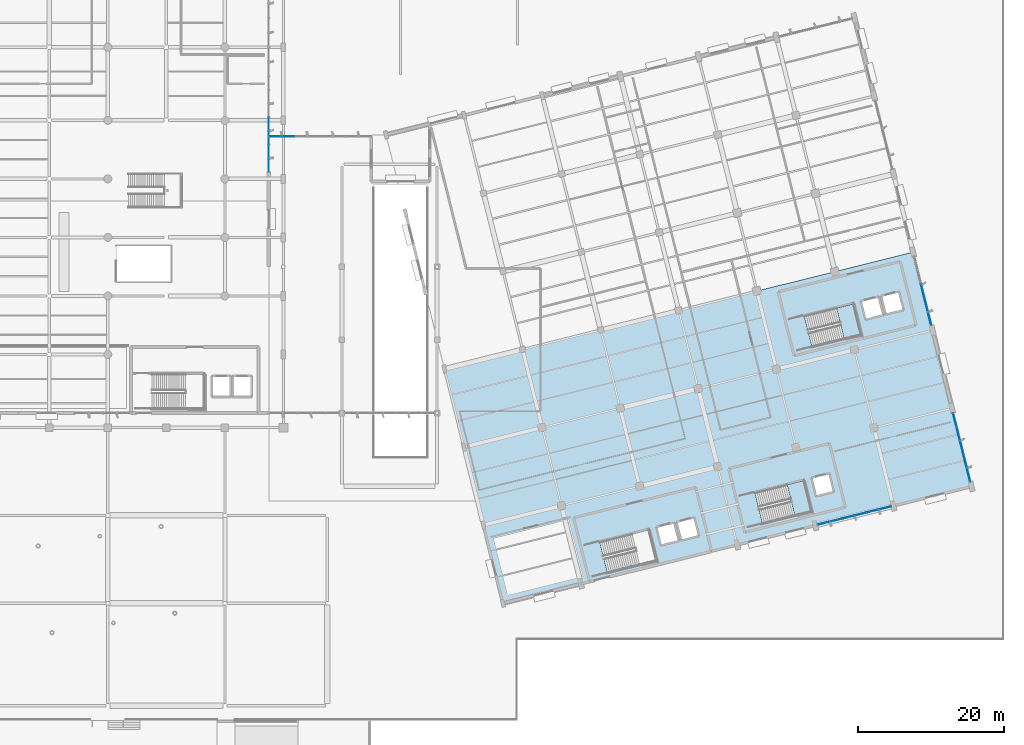
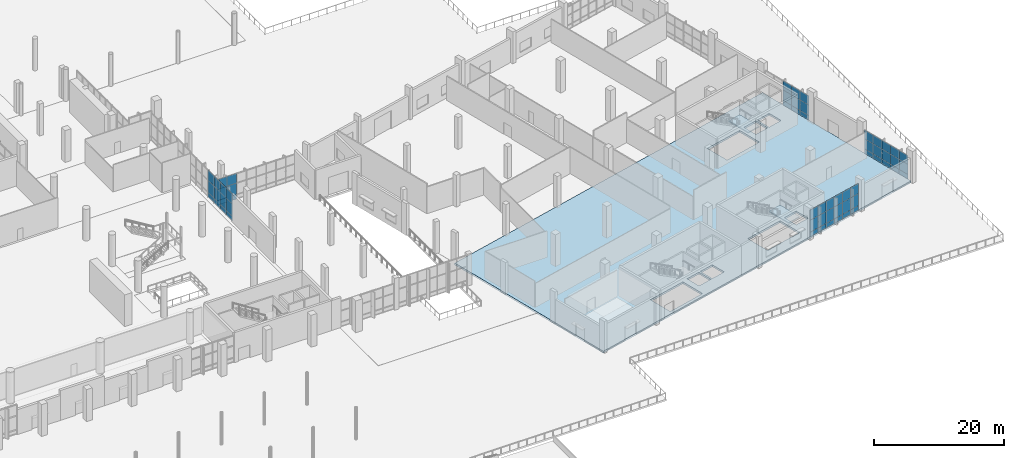
# One storey, part 118 of 163: 60 plates, 3 slabs, 7 elements without a shape of their own.
"""IFC4 building model written with IfcOpenShell, lengths in metres."""

from ifc_helpers import new_model, si_unit, direction, frame, origin, origin_2d, place, context, subcontext, project, spatial, polyline, rectangle, outline, extrude, material, layer, layer_set, type_object, element, aggregate, save


model = new_model("IFC4")

# Units and contexts
model_context = context("Model", 3, precision=1e-05, world=origin(), true_north=direction((0.0, 1.0)))
body_context = subcontext(model_context, "Body", "Model", "MODEL_VIEW")
ifc_project = project(units=[si_unit("LENGTHUNIT", "METRE"), si_unit("AREAUNIT", "SQUARE_METRE"), si_unit("VOLUMEUNIT", "CUBIC_METRE"), si_unit("PLANEANGLEUNIT", "RADIAN"), si_unit("MASSUNIT", "GRAM", prefix="KILO")], contexts=[model_context])

# Site, building, storey
site_placement = place(None, origin())
site = spatial("IfcSite", under=ifc_project, at=site_placement, CompositionType="ELEMENT")
building_placement = place(site_placement, origin())
building = spatial("IfcBuilding", under=site, at=building_placement, Name="Khorjan Park Terminus", CompositionType="ELEMENT")
storey_placement = place(building_placement, origin())
storey = spatial("IfcBuildingStorey", under=building, at=storey_placement, Name="L00", CompositionType="ELEMENT", Elevation=0.0)

# Curtain wall, plates
ifc_material_1 = material(Name="Anodized Bronze Aluminium", Category="aluminium")
ifc_layer_1 = layer(ifc_material_1, 0.22)
ifc_layer_set_1 = layer_set([ifc_layer_1], Name="Anodized Bronze Aluminium")
curtain_wall_type_1 = type_object("IfcCurtainWallType", Name="CW-OPS-B", PredefinedType="NOTDEFINED", material=ifc_layer_set_1)
curtain_wall_1_placement = place(storey_placement, origin())
curtain_wall_1 = element("IfcCurtainWall", 1, at=curtain_wall_1_placement, inside=storey, type_object=curtain_wall_type_1, Name="Unitized curtain wall CW-B (CW-V5-E-L00-B03)", PredefinedType="NOTDEFINED")
ifc_material_2 = material(Name="Low-E Solar Control Double Glazing", Category="glass")
ifc_layer_2 = layer(ifc_material_2, 0.032)
ifc_layer_set_2 = layer_set([ifc_layer_2], Name="Low-E Solar Control Double Glazing")
plate_type_1 = type_object("IfcPlateType", Name="GL-VIS-32", PredefinedType="CURTAIN_PANEL", material=ifc_layer_set_2)
plate_1_placement = place(storey_placement, frame((224.3195, 40.9083, 0.85), z_axis=(0.0, 0.0, 1.0), x_axis=(-0.241922975976, 0.970295456907, 0.0)))
plate_1 = element("IfcPlate", 2, at=plate_1_placement, type_object=plate_type_1, Name="Curtain-wall panel VP-32 (CW-V5-E-L00-B03-0-2)", PredefinedType="CURTAIN_PANEL", context=body_context, shape_type="SweptSolid", body=[
    extrude(rectangle(XDim=1.9281, YDim=0.032, at=origin_2d()), origin(), (0.0, 0.0, 1.0), 1.9803),
])
plate_2_placement = place(storey_placement, frame((224.3195, 40.9083, 2.8304), z_axis=(0.0, 0.0, 1.0), x_axis=(-0.241922975976, 0.970295456907, 0.0)))
plate_2 = element("IfcPlate", 3, at=plate_2_placement, type_object=plate_type_1, Name="Curtain-wall panel VP-32 (CW-V5-E-L00-B03-0-3)", PredefinedType="CURTAIN_PANEL", context=body_context, shape_type="SweptSolid", body=[
    extrude(rectangle(XDim=1.9281, YDim=0.032, at=origin_2d()), origin(), (0.0, 0.0, 1.0), 1.7447),
])
plate_3_placement = place(storey_placement, frame((223.8531, 42.7792, 0.85), z_axis=(0.0, 0.0, 1.0), x_axis=(-0.241922975976, 0.970295456907, 0.0)))
plate_3 = element("IfcPlate", 4, at=plate_3_placement, type_object=plate_type_1, Name="Curtain-wall panel VP-32 (CW-V5-E-L00-B03-1-2)", PredefinedType="CURTAIN_PANEL", context=body_context, shape_type="SweptSolid", body=[
    extrude(rectangle(XDim=1.9281, YDim=0.032, at=origin_2d()), origin(), (0.0, 0.0, 1.0), 1.9803),
])
plate_4_placement = place(storey_placement, frame((223.8531, 42.7792, 2.8304), z_axis=(0.0, 0.0, 1.0), x_axis=(-0.241922975976, 0.970295456907, 0.0)))
plate_4 = element("IfcPlate", 5, at=plate_4_placement, type_object=plate_type_1, Name="Curtain-wall panel VP-32 (CW-V5-E-L00-B03-1-3)", PredefinedType="CURTAIN_PANEL", context=body_context, shape_type="SweptSolid", body=[
    extrude(rectangle(XDim=1.9281, YDim=0.032, at=origin_2d()), origin(), (0.0, 0.0, 1.0), 1.7447),
])
plate_5_placement = place(storey_placement, frame((223.3867, 44.6501, 0.85), z_axis=(0.0, 0.0, 1.0), x_axis=(-0.241922975976, 0.970295456907, 0.0)))
plate_5 = element("IfcPlate", 6, at=plate_5_placement, type_object=plate_type_1, Name="Curtain-wall panel VP-32 (CW-V5-E-L00-B03-2-2)", PredefinedType="CURTAIN_PANEL", context=body_context, shape_type="SweptSolid", body=[
    extrude(rectangle(XDim=1.9281, YDim=0.032, at=origin_2d()), origin(), (0.0, 0.0, 1.0), 1.9803),
])
plate_6_placement = place(storey_placement, frame((223.3867, 44.6501, 2.8304), z_axis=(0.0, 0.0, 1.0), x_axis=(-0.241922975976, 0.970295456907, 0.0)))
plate_6 = element("IfcPlate", 7, at=plate_6_placement, type_object=plate_type_1, Name="Curtain-wall panel VP-32 (CW-V5-E-L00-B03-2-3)", PredefinedType="CURTAIN_PANEL", context=body_context, shape_type="SweptSolid", body=[
    extrude(rectangle(XDim=1.9281, YDim=0.032, at=origin_2d()), origin(), (0.0, 0.0, 1.0), 1.7447),
])

curtain_wall_2_placement = place(storey_placement, origin())
curtain_wall_2 = element("IfcCurtainWall", 8, at=curtain_wall_2_placement, inside=storey, type_object=curtain_wall_type_1, Name="Unitized curtain wall CW-B (CW-V5L-N-L00-1)", PredefinedType="NOTDEFINED")
ifc_material_3 = material(Name="Acoustic Laminated Solar Glazing", Category="glass")
ifc_layer_3 = layer(ifc_material_3, 0.036)
ifc_layer_set_3 = layer_set([ifc_layer_3], Name="Acoustic Laminated Solar Glazing")
plate_type_2 = type_object("IfcPlateType", Name="GL-VIS-36", PredefinedType="CURTAIN_PANEL", material=ifc_layer_set_3)
plate_7_placement = place(storey_placement, frame((136.625, 65.8, 0.8499), z_axis=(0.0, 0.0, 1.0), x_axis=(-1.0, 0.0, 0.0)))
plate_7 = element("IfcPlate", 9, at=plate_7_placement, type_object=plate_type_2, Name="Curtain-wall panel VP-36 (CW-V5L-N-L00-1-6-2)", PredefinedType="CURTAIN_PANEL", context=body_context, shape_type="SweptSolid", body=[
    extrude(rectangle(XDim=1.75, YDim=0.036, at=origin_2d()), origin(), (0.0, 0.0, 1.0), 2.1415),
])
plate_8_placement = place(storey_placement, frame((136.625, 65.8, 2.9914), z_axis=(0.0, 0.0, 1.0), x_axis=(-1.0, 0.0, 0.0)))
plate_8 = element("IfcPlate", 10, at=plate_8_placement, type_object=plate_type_2, Name="Curtain-wall panel VP-36 (CW-V5L-N-L00-1-6-3)", PredefinedType="CURTAIN_PANEL", context=body_context, shape_type="SweptSolid", body=[
    extrude(rectangle(XDim=1.75, YDim=0.036, at=origin_2d()), origin(), (0.0, 0.0, 1.0), 1.8435),
])
plate_9_placement = place(storey_placement, frame((134.875, 65.8, 0.8499), z_axis=(0.0, 0.0, 1.0), x_axis=(-1.0, 0.0, 0.0)))
plate_9 = element("IfcPlate", 11, at=plate_9_placement, type_object=plate_type_2, Name="Curtain-wall panel VP-36 (CW-V5L-N-L00-1-7-2)", PredefinedType="CURTAIN_PANEL", context=body_context, shape_type="SweptSolid", body=[
    extrude(rectangle(XDim=1.75, YDim=0.036, at=origin_2d()), origin(), (0.0, 0.0, 1.0), 2.1415),
])
plate_10_placement = place(storey_placement, frame((134.875, 65.8, 2.9914), z_axis=(0.0, 0.0, 1.0), x_axis=(-1.0, 0.0, 0.0)))
plate_10 = element("IfcPlate", 12, at=plate_10_placement, type_object=plate_type_2, Name="Curtain-wall panel VP-36 (CW-V5L-N-L00-1-7-3)", PredefinedType="CURTAIN_PANEL", context=body_context, shape_type="SweptSolid", body=[
    extrude(rectangle(XDim=1.75, YDim=0.036, at=origin_2d()), origin(), (0.0, 0.0, 1.0), 1.8435),
])

curtain_wall_3_placement = place(storey_placement, origin())
curtain_wall_3 = element("IfcCurtainWall", 13, at=curtain_wall_3_placement, inside=storey, type_object=curtain_wall_type_1, Name="Unitized curtain wall CW-B (CW-V5-S-L00-B05)", PredefinedType="NOTDEFINED")
plate_11_placement = place(storey_placement, frame((209.8493, 12.933, 0.85), z_axis=(0.0, 0.0, 1.0), x_axis=(0.970298180833, 0.241912050695, 0.0)))
plate_11 = element("IfcPlate", 14, at=plate_11_placement, type_object=plate_type_2, Name="Curtain-wall panel VP-36 (CW-V5-S-L00-B05-0-2)", PredefinedType="CURTAIN_PANEL", context=body_context, shape_type="SweptSolid", body=[
    extrude(rectangle(XDim=1.7233, YDim=0.036, at=origin_2d()), origin(), (0.0, 0.0, 1.0), 2.2655),
])
plate_12_placement = place(storey_placement, frame((209.8493, 12.933, 3.1156), z_axis=(0.0, 0.0, 1.0), x_axis=(0.970298180833, 0.241912050695, 0.0)))
plate_12 = element("IfcPlate", 15, at=plate_12_placement, type_object=plate_type_2, Name="Curtain-wall panel VP-36 (CW-V5-S-L00-B05-0-3)", PredefinedType="CURTAIN_PANEL", context=body_context, shape_type="SweptSolid", body=[
    extrude(rectangle(XDim=1.7233, YDim=0.036, at=origin_2d()), origin(), (0.0, 0.0, 1.0), 1.9195),
])
plate_13_placement = place(storey_placement, frame((211.5214, 13.3498, 0.85), z_axis=(0.0, 0.0, 1.0), x_axis=(0.970298180833, 0.241912050695, 0.0)))
plate_13 = element("IfcPlate", 16, at=plate_13_placement, type_object=plate_type_2, Name="Curtain-wall panel VP-36 (CW-V5-S-L00-B05-1-2)", PredefinedType="CURTAIN_PANEL", context=body_context, shape_type="SweptSolid", body=[
    extrude(rectangle(XDim=1.7233, YDim=0.036, at=origin_2d()), origin(), (0.0, 0.0, 1.0), 2.2655),
])
plate_14_placement = place(storey_placement, frame((211.5214, 13.3498, 3.1156), z_axis=(0.0, 0.0, 1.0), x_axis=(0.970298180833, 0.241912050695, 0.0)))
plate_14 = element("IfcPlate", 17, at=plate_14_placement, type_object=plate_type_2, Name="Curtain-wall panel VP-36 (CW-V5-S-L00-B05-1-3)", PredefinedType="CURTAIN_PANEL", context=body_context, shape_type="SweptSolid", body=[
    extrude(rectangle(XDim=1.7233, YDim=0.036, at=origin_2d()), origin(), (0.0, 0.0, 1.0), 1.9195),
])
plate_15_placement = place(storey_placement, frame((213.1935, 13.7667, 0.85), z_axis=(0.0, 0.0, 1.0), x_axis=(0.970298180833, 0.241912050695, 0.0)))
plate_15 = element("IfcPlate", 18, at=plate_15_placement, type_object=plate_type_2, Name="Curtain-wall panel VP-36 (CW-V5-S-L00-B05-2-2)", PredefinedType="CURTAIN_PANEL", context=body_context, shape_type="SweptSolid", body=[
    extrude(rectangle(XDim=1.7233, YDim=0.036, at=origin_2d()), origin(), (0.0, 0.0, 1.0), 2.2655),
])
plate_16_placement = place(storey_placement, frame((213.1935, 13.7667, 3.1156), z_axis=(0.0, 0.0, 1.0), x_axis=(0.970298180833, 0.241912050695, 0.0)))
plate_16 = element("IfcPlate", 19, at=plate_16_placement, type_object=plate_type_2, Name="Curtain-wall panel VP-36 (CW-V5-S-L00-B05-2-3)", PredefinedType="CURTAIN_PANEL", context=body_context, shape_type="SweptSolid", body=[
    extrude(rectangle(XDim=1.7233, YDim=0.036, at=origin_2d()), origin(), (0.0, 0.0, 1.0), 1.9195),
])
plate_17_placement = place(storey_placement, frame((214.8656, 14.1836, 0.85), z_axis=(0.0, 0.0, 1.0), x_axis=(0.970298180833, 0.241912050695, 0.0)))
plate_17 = element("IfcPlate", 20, at=plate_17_placement, type_object=plate_type_2, Name="Curtain-wall panel VP-36 (CW-V5-S-L00-B05-3-2)", PredefinedType="CURTAIN_PANEL", context=body_context, shape_type="SweptSolid", body=[
    extrude(rectangle(XDim=1.7233, YDim=0.036, at=origin_2d()), origin(), (0.0, 0.0, 1.0), 2.2655),
])
plate_18_placement = place(storey_placement, frame((214.8656, 14.1836, 3.1156), z_axis=(0.0, 0.0, 1.0), x_axis=(0.970298180833, 0.241912050695, 0.0)))
plate_18 = element("IfcPlate", 21, at=plate_18_placement, type_object=plate_type_2, Name="Curtain-wall panel VP-36 (CW-V5-S-L00-B05-3-3)", PredefinedType="CURTAIN_PANEL", context=body_context, shape_type="SweptSolid", body=[
    extrude(rectangle(XDim=1.7233, YDim=0.036, at=origin_2d()), origin(), (0.0, 0.0, 1.0), 1.9195),
])
plate_19_placement = place(storey_placement, frame((216.5377, 14.6004, 0.85), z_axis=(0.0, 0.0, 1.0), x_axis=(0.970298180833, 0.241912050695, 0.0)))
plate_19 = element("IfcPlate", 22, at=plate_19_placement, type_object=plate_type_2, Name="Curtain-wall panel VP-36 (CW-V5-S-L00-B05-4-2)", PredefinedType="CURTAIN_PANEL", context=body_context, shape_type="SweptSolid", body=[
    extrude(rectangle(XDim=1.7233, YDim=0.036, at=origin_2d()), origin(), (0.0, 0.0, 1.0), 2.2655),
])
plate_20_placement = place(storey_placement, frame((216.5377, 14.6004, 3.1156), z_axis=(0.0, 0.0, 1.0), x_axis=(0.970298180833, 0.241912050695, 0.0)))
plate_20 = element("IfcPlate", 23, at=plate_20_placement, type_object=plate_type_2, Name="Curtain-wall panel VP-36 (CW-V5-S-L00-B05-4-3)", PredefinedType="CURTAIN_PANEL", context=body_context, shape_type="SweptSolid", body=[
    extrude(rectangle(XDim=1.7233, YDim=0.036, at=origin_2d()), origin(), (0.0, 0.0, 1.0), 1.9195),
])
plate_21_placement = place(storey_placement, frame((218.2098, 15.0174, 0.85), z_axis=(0.0, 0.0, 1.0), x_axis=(0.970298180833, 0.241912050695, 0.0)))
plate_21 = element("IfcPlate", 24, at=plate_21_placement, type_object=plate_type_2, Name="Curtain-wall panel VP-36 (CW-V5-S-L00-B05-5-2)", PredefinedType="CURTAIN_PANEL", context=body_context, shape_type="SweptSolid", body=[
    extrude(rectangle(XDim=1.7233, YDim=0.036, at=origin_2d()), origin(), (0.0, 0.0, 1.0), 2.2655),
])
plate_22_placement = place(storey_placement, frame((218.2098, 15.0174, 3.1156), z_axis=(0.0, 0.0, 1.0), x_axis=(0.970298180833, 0.241912050695, 0.0)))
plate_22 = element("IfcPlate", 25, at=plate_22_placement, type_object=plate_type_2, Name="Curtain-wall panel VP-36 (CW-V5-S-L00-B05-5-3)", PredefinedType="CURTAIN_PANEL", context=body_context, shape_type="SweptSolid", body=[
    extrude(rectangle(XDim=1.7233, YDim=0.036, at=origin_2d()), origin(), (0.0, 0.0, 1.0), 1.9195),
])

curtain_wall_4_placement = place(storey_placement, origin())
curtain_wall_4 = element("IfcCurtainWall", 26, at=curtain_wall_4_placement, inside=storey, type_object=curtain_wall_type_1, Name="Unitized curtain wall CW-B (CW-V5-E-L00-B01)", PredefinedType="NOTDEFINED")
plate_23_placement = place(storey_placement, frame((229.6418, 19.562, 0.85), z_axis=(0.0, 0.0, 1.0), x_axis=(-0.241920488516, 0.9702960771, 0.0)))
plate_23 = element("IfcPlate", 27, at=plate_23_placement, type_object=plate_type_2, Name="Curtain-wall panel VP-36 (CW-V5-E-L00-B01-0-2)", PredefinedType="CURTAIN_PANEL", context=body_context, shape_type="SweptSolid", body=[
    extrude(rectangle(XDim=1.928, YDim=0.036, at=origin_2d()), origin(), (0.0, 0.0, 1.0), 1.8873),
])
plate_24_placement = place(storey_placement, frame((229.6418, 19.562, 2.7374), z_axis=(0.0, 0.0, 1.0), x_axis=(-0.241920488516, 0.9702960771, 0.0)))
plate_24 = element("IfcPlate", 28, at=plate_24_placement, type_object=plate_type_2, Name="Curtain-wall panel VP-36 (CW-V5-E-L00-B01-0-3)", PredefinedType="CURTAIN_PANEL", context=body_context, shape_type="SweptSolid", body=[
    extrude(rectangle(XDim=1.928, YDim=0.036, at=origin_2d()), origin(), (0.0, 0.0, 1.0), 1.6877),
])
plate_25_placement = place(storey_placement, frame((229.1754, 21.4327, 0.85), z_axis=(0.0, 0.0, 1.0), x_axis=(-0.241920488516, 0.9702960771, 0.0)))
plate_25 = element("IfcPlate", 29, at=plate_25_placement, type_object=plate_type_2, Name="Curtain-wall panel VP-36 (CW-V5-E-L00-B01-1-2)", PredefinedType="CURTAIN_PANEL", context=body_context, shape_type="SweptSolid", body=[
    extrude(rectangle(XDim=1.928, YDim=0.036, at=origin_2d()), origin(), (0.0, 0.0, 1.0), 1.8873),
])
plate_26_placement = place(storey_placement, frame((229.1754, 21.4327, 2.7374), z_axis=(0.0, 0.0, 1.0), x_axis=(-0.241920488516, 0.9702960771, 0.0)))
plate_26 = element("IfcPlate", 30, at=plate_26_placement, type_object=plate_type_2, Name="Curtain-wall panel VP-36 (CW-V5-E-L00-B01-1-3)", PredefinedType="CURTAIN_PANEL", context=body_context, shape_type="SweptSolid", body=[
    extrude(rectangle(XDim=1.928, YDim=0.036, at=origin_2d()), origin(), (0.0, 0.0, 1.0), 1.6877),
])
plate_27_placement = place(storey_placement, frame((228.709, 23.3035, 0.85), z_axis=(0.0, 0.0, 1.0), x_axis=(-0.241920488516, 0.9702960771, 0.0)))
plate_27 = element("IfcPlate", 31, at=plate_27_placement, type_object=plate_type_2, Name="Curtain-wall panel VP-36 (CW-V5-E-L00-B01-2-2)", PredefinedType="CURTAIN_PANEL", context=body_context, shape_type="SweptSolid", body=[
    extrude(rectangle(XDim=1.928, YDim=0.036, at=origin_2d()), origin(), (0.0, 0.0, 1.0), 1.8873),
])
plate_28_placement = place(storey_placement, frame((228.709, 23.3035, 2.7374), z_axis=(0.0, 0.0, 1.0), x_axis=(-0.241920488516, 0.9702960771, 0.0)))
plate_28 = element("IfcPlate", 32, at=plate_28_placement, type_object=plate_type_2, Name="Curtain-wall panel VP-36 (CW-V5-E-L00-B01-2-3)", PredefinedType="CURTAIN_PANEL", context=body_context, shape_type="SweptSolid", body=[
    extrude(rectangle(XDim=1.928, YDim=0.036, at=origin_2d()), origin(), (0.0, 0.0, 1.0), 1.6877),
])
plate_29_placement = place(storey_placement, frame((228.2425, 25.1743, 0.85), z_axis=(0.0, 0.0, 1.0), x_axis=(-0.241920488516, 0.9702960771, 0.0)))
plate_29 = element("IfcPlate", 33, at=plate_29_placement, type_object=plate_type_2, Name="Curtain-wall panel VP-36 (CW-V5-E-L00-B01-3-2)", PredefinedType="CURTAIN_PANEL", context=body_context, shape_type="SweptSolid", body=[
    extrude(rectangle(XDim=1.928, YDim=0.036, at=origin_2d()), origin(), (0.0, 0.0, 1.0), 1.8873),
])
plate_30_placement = place(storey_placement, frame((228.2425, 25.1743, 2.7374), z_axis=(0.0, 0.0, 1.0), x_axis=(-0.241920488516, 0.9702960771, 0.0)))
plate_30 = element("IfcPlate", 34, at=plate_30_placement, type_object=plate_type_2, Name="Curtain-wall panel VP-36 (CW-V5-E-L00-B01-3-3)", PredefinedType="CURTAIN_PANEL", context=body_context, shape_type="SweptSolid", body=[
    extrude(rectangle(XDim=1.928, YDim=0.036, at=origin_2d()), origin(), (0.0, 0.0, 1.0), 1.6877),
])
plate_31_placement = place(storey_placement, frame((227.7761, 27.045, 0.85), z_axis=(0.0, 0.0, 1.0), x_axis=(-0.241920488516, 0.9702960771, 0.0)))
plate_31 = element("IfcPlate", 35, at=plate_31_placement, type_object=plate_type_2, Name="Curtain-wall panel VP-36 (CW-V5-E-L00-B01-4-2)", PredefinedType="CURTAIN_PANEL", context=body_context, shape_type="SweptSolid", body=[
    extrude(rectangle(XDim=1.928, YDim=0.036, at=origin_2d()), origin(), (0.0, 0.0, 1.0), 1.8873),
])
plate_32_placement = place(storey_placement, frame((227.7761, 27.045, 2.7374), z_axis=(0.0, 0.0, 1.0), x_axis=(-0.241920488516, 0.9702960771, 0.0)))
plate_32 = element("IfcPlate", 36, at=plate_32_placement, type_object=plate_type_2, Name="Curtain-wall panel VP-36 (CW-V5-E-L00-B01-4-3)", PredefinedType="CURTAIN_PANEL", context=body_context, shape_type="SweptSolid", body=[
    extrude(rectangle(XDim=1.928, YDim=0.036, at=origin_2d()), origin(), (0.0, 0.0, 1.0), 1.6877),
])

ifc_layer_4 = layer(ifc_material_1, 0.22)
ifc_layer_set_4 = layer_set([ifc_layer_4], Name="Anodized Bronze Aluminium")
curtain_wall_type_2 = type_object("IfcCurtainWallType", Name="CW-CONC-A", PredefinedType="NOTDEFINED", material=ifc_layer_set_4)
curtain_wall_5_placement = place(storey_placement, origin())
curtain_wall_5 = element("IfcCurtainWall", 37, at=curtain_wall_5_placement, inside=storey, type_object=curtain_wall_type_2, Name="Unitized curtain wall CW-A (CW-V2-E-L00-03)", PredefinedType="NOTDEFINED")
ifc_material_4 = material(Name="Triple Low-E High-Selectivity Glazing", Category="glass")
ifc_layer_5 = layer(ifc_material_4, 0.04)
ifc_layer_set_5 = layer_set([ifc_layer_5], Name="Triple Low-E High-Selectivity Glazing")
plate_type_3 = type_object("IfcPlateType", Name="GL-VIS-40", PredefinedType="CURTAIN_PANEL", material=ifc_layer_set_5)
plate_33_placement = place(storey_placement, frame((134.0, 61.9286, 0.85), z_axis=(0.0, 0.0, 1.0), x_axis=(0.0, 1.0, 0.0)))
plate_33 = element("IfcPlate", 38, at=plate_33_placement, type_object=plate_type_3, Name="Curtain-wall panel VP-40 (CW-V2-E-L00-03-0-2)", PredefinedType="CURTAIN_PANEL", context=body_context, shape_type="SweptSolid", body=[
    extrude(rectangle(XDim=1.8571, YDim=0.04, at=origin_2d()), origin(), (0.0, 0.0, 1.0), 2.2903),
])
plate_34_placement = place(storey_placement, frame((134.0, 61.9286, 3.1402), z_axis=(0.0, 0.0, 1.0), x_axis=(0.0, 1.0, 0.0)))
plate_34 = element("IfcPlate", 39, at=plate_34_placement, type_object=plate_type_3, Name="Curtain-wall panel VP-40 (CW-V2-E-L00-03-0-3)", PredefinedType="CURTAIN_PANEL", context=body_context, shape_type="SweptSolid", body=[
    extrude(rectangle(XDim=1.8571, YDim=0.04, at=origin_2d()), origin(), (0.0, 0.0, 1.0), 1.9347),
])
plate_35_placement = place(storey_placement, frame((134.0, 63.7857, 0.85), z_axis=(0.0, 0.0, 1.0), x_axis=(0.0, 1.0, 0.0)))
plate_35 = element("IfcPlate", 40, at=plate_35_placement, type_object=plate_type_3, Name="Curtain-wall panel VP-40 (CW-V2-E-L00-03-1-2)", PredefinedType="CURTAIN_PANEL", context=body_context, shape_type="SweptSolid", body=[
    extrude(rectangle(XDim=1.8571, YDim=0.04, at=origin_2d()), origin(), (0.0, 0.0, 1.0), 2.2903),
])
plate_36_placement = place(storey_placement, frame((134.0, 63.7857, 3.1402), z_axis=(0.0, 0.0, 1.0), x_axis=(0.0, 1.0, 0.0)))
plate_36 = element("IfcPlate", 41, at=plate_36_placement, type_object=plate_type_3, Name="Curtain-wall panel VP-40 (CW-V2-E-L00-03-1-3)", PredefinedType="CURTAIN_PANEL", context=body_context, shape_type="SweptSolid", body=[
    extrude(rectangle(XDim=1.8571, YDim=0.04, at=origin_2d()), origin(), (0.0, 0.0, 1.0), 1.9347),
])
plate_37_placement = place(storey_placement, frame((134.0, 65.6428, 0.85), z_axis=(0.0, 0.0, 1.0), x_axis=(0.0, 1.0, 0.0)))
plate_37 = element("IfcPlate", 42, at=plate_37_placement, type_object=plate_type_3, Name="Curtain-wall panel VP-40 (CW-V2-E-L00-03-2-2)", PredefinedType="CURTAIN_PANEL", context=body_context, shape_type="SweptSolid", body=[
    extrude(rectangle(XDim=1.8571, YDim=0.04, at=origin_2d()), origin(), (0.0, 0.0, 1.0), 2.2903),
])
plate_38_placement = place(storey_placement, frame((134.0, 65.6428, 3.1402), z_axis=(0.0, 0.0, 1.0), x_axis=(0.0, 1.0, 0.0)))
plate_38 = element("IfcPlate", 43, at=plate_38_placement, type_object=plate_type_3, Name="Curtain-wall panel VP-40 (CW-V2-E-L00-03-2-3)", PredefinedType="CURTAIN_PANEL", context=body_context, shape_type="SweptSolid", body=[
    extrude(rectangle(XDim=1.8571, YDim=0.04, at=origin_2d()), origin(), (0.0, 0.0, 1.0), 1.9347),
])
plate_39_placement = place(storey_placement, frame((134.0, 67.5, 0.85), z_axis=(0.0, 0.0, 1.0), x_axis=(0.0, 1.0, 0.0)))
plate_39 = element("IfcPlate", 44, at=plate_39_placement, type_object=plate_type_3, Name="Curtain-wall panel VP-40 (CW-V2-E-L00-03-3-2)", PredefinedType="CURTAIN_PANEL", context=body_context, shape_type="SweptSolid", body=[
    extrude(rectangle(XDim=1.8571, YDim=0.04, at=origin_2d()), origin(), (0.0, 0.0, 1.0), 2.2903),
])
plate_40_placement = place(storey_placement, frame((134.0, 67.5, 3.1402), z_axis=(0.0, 0.0, 1.0), x_axis=(0.0, 1.0, 0.0)))
plate_40 = element("IfcPlate", 45, at=plate_40_placement, type_object=plate_type_3, Name="Curtain-wall panel VP-40 (CW-V2-E-L00-03-3-3)", PredefinedType="CURTAIN_PANEL", context=body_context, shape_type="SweptSolid", body=[
    extrude(rectangle(XDim=1.8571, YDim=0.04, at=origin_2d()), origin(), (0.0, 0.0, 1.0), 1.9347),
])

# Slab
ifc_material_5 = material(Name="Concrete C40/50", Category="concrete")
ifc_layer_6 = layer(ifc_material_5, 0.36)
ifc_layer_set_6 = layer_set([ifc_layer_6], Name="Concrete C40/50")
slab_type_1 = type_object("IfcSlabType", Name="SL-FLR-360", PredefinedType="FLOOR", material=ifc_layer_set_6)
slab_1_placement = place(storey_placement, frame((0.0, 0.0, -0.36)))
element("IfcSlab", 46, at=slab_1_placement, inside=storey, type_object=slab_type_1, Name="Structural floor slab FS-36 (L00-V5-S)", PredefinedType="FLOOR", context=body_context, shape_type="SweptSolid", body=[
    extrude(outline(polyline([(158.0166, 34.0198), (222.0561, 49.9866), (230.0395, 17.9668), (166.0, 2.0), (158.0166, 34.0198)]), holes=[polyline([(187.0194, 7.8075), (185.9646, 12.038), (179.2453, 10.3627), (180.3001, 6.1322), (187.0194, 7.8075)]), polyline([(190.0528, 10.4808), (189.4141, 13.0423), (186.9495, 12.4279), (187.5882, 9.8663), (190.0528, 10.4808)]), polyline([(192.8278, 11.1727), (192.1891, 13.7342), (189.7246, 13.1198), (190.3633, 10.5582), (192.8278, 11.1727)]), polyline([(208.2213, 14.5366), (207.1665, 18.7671), (200.4472, 17.0918), (201.502, 12.8613), (208.2213, 14.5366)]), polyline([(211.2547, 17.2099), (210.616, 19.7714), (208.1514, 19.157), (208.7901, 16.5954), (211.2547, 17.2099)]), polyline([(214.9791, 38.6889), (213.9243, 42.9194), (207.205, 41.2441), (208.2598, 37.0136), (214.9791, 38.6889)]), polyline([(215.5479, 40.7477), (218.0125, 41.3622), (217.3738, 43.9237), (214.9092, 43.3093), (215.5479, 40.7477)]), polyline([(218.323, 41.4396), (220.7875, 42.0541), (220.1488, 44.6156), (217.6843, 44.0012), (218.323, 41.4396)])]), origin(), (0.0, 0.0, 1.0), 0.36),
])

# Stair, slab
stair_type = type_object("IfcStairType", Name="STR-CORE-200", PredefinedType="HALF_TURN_STAIR", material=ifc_material_5)
stair_1_placement = place(storey_placement, origin())
stair_1 = element("IfcStair", 47, at=stair_1_placement, inside=storey, type_object=stair_type, Name="L00 Operations North-East Firefighting Core exit stair ST-04", PredefinedType="HALF_TURN_STAIR")
ifc_layer_7 = layer(ifc_material_5, 0.2)
ifc_layer_set_7 = layer_set([ifc_layer_7], Name="Concrete C40/50")
slab_type_2 = type_object("IfcSlabType", Name="SL-LND-200", PredefinedType="LANDING", material=ifc_layer_set_7)
slab_2_placement = place(storey_placement, frame((0.0, 0.0, 2.8)))
slab_2 = element("IfcSlab", 48, at=slab_2_placement, type_object=slab_type_2, Name="ST-04 landing 1", PredefinedType="LANDING", context=body_context, shape_type="SweptSolid", body=[
    extrude(outline(polyline([(212.6552, 38.1095), (214.9791, 38.6889), (213.9243, 42.9194), (211.6004, 42.34), (212.6552, 38.1095)])), origin(), (0.0, 0.0, 1.0), 0.2),
])
aggregate(stair_1, [slab_2])

stair_2_placement = place(storey_placement, origin())
stair_2 = element("IfcStair", 49, at=stair_2_placement, inside=storey, type_object=stair_type, Name="L00 Operations Central Command Core exit stair ST-05", PredefinedType="HALF_TURN_STAIR")
slab_3_placement = place(storey_placement, frame((0.0, 0.0, 2.8)))
slab_3 = element("IfcSlab", 50, at=slab_3_placement, type_object=slab_type_2, Name="ST-05 landing 1", PredefinedType="LANDING", context=body_context, shape_type="SweptSolid", body=[
    extrude(outline(polyline([(205.8974, 13.9572), (208.2213, 14.5366), (207.1665, 18.7671), (204.8426, 18.1877), (205.8974, 13.9572)])), origin(), (0.0, 0.0, 1.0), 0.2),
])
aggregate(stair_2, [slab_3])

# Plate
ifc_material_6 = material(Name="Insulated Anodized Bronze Spandrel Panel")
ifc_layer_8 = layer(ifc_material_6, 0.045)
ifc_layer_set_8 = layer_set([ifc_layer_8], Name="Insulated Anodized Bronze Spandrel Panel")
plate_type_4 = type_object("IfcPlateType", Name="SP-AL-45", PredefinedType="CURTAIN_PANEL", material=ifc_layer_set_8)
plate_41_placement = place(storey_placement, frame((134.0, 61.9286, -0.01), z_axis=(0.0, 0.0, 1.0), x_axis=(0.0, 1.0, 0.0)))
plate_41 = element("IfcPlate", 51, at=plate_41_placement, type_object=plate_type_4, Name="Curtain-wall panel SP-A45 (CW-V2-E-L00-03-0-1)", PredefinedType="CURTAIN_PANEL", context=body_context, shape_type="SweptSolid", body=[
    extrude(rectangle(XDim=1.8571, YDim=0.045, at=origin_2d()), origin(), (0.0, 0.0, 1.0), 0.86),
])

plate_42_placement = place(storey_placement, frame((134.0, 63.7857, -0.01), z_axis=(0.0, 0.0, 1.0), x_axis=(0.0, 1.0, 0.0)))
plate_42 = element("IfcPlate", 52, at=plate_42_placement, type_object=plate_type_4, Name="Curtain-wall panel SP-A45 (CW-V2-E-L00-03-1-1)", PredefinedType="CURTAIN_PANEL", context=body_context, shape_type="SweptSolid", body=[
    extrude(rectangle(XDim=1.8571, YDim=0.045, at=origin_2d()), origin(), (0.0, 0.0, 1.0), 0.86),
])

plate_43_placement = place(storey_placement, frame((134.0, 65.6428, -0.01), z_axis=(0.0, 0.0, 1.0), x_axis=(0.0, 1.0, 0.0)))
plate_43 = element("IfcPlate", 53, at=plate_43_placement, type_object=plate_type_4, Name="Curtain-wall panel SP-A45 (CW-V2-E-L00-03-2-1)", PredefinedType="CURTAIN_PANEL", context=body_context, shape_type="SweptSolid", body=[
    extrude(rectangle(XDim=1.8571, YDim=0.045, at=origin_2d()), origin(), (0.0, 0.0, 1.0), 0.86),
])

plate_44_placement = place(storey_placement, frame((134.0, 67.5, -0.01), z_axis=(0.0, 0.0, 1.0), x_axis=(0.0, 1.0, 0.0)))
plate_44 = element("IfcPlate", 54, at=plate_44_placement, type_object=plate_type_4, Name="Curtain-wall panel SP-A45 (CW-V2-E-L00-03-3-1)", PredefinedType="CURTAIN_PANEL", context=body_context, shape_type="SweptSolid", body=[
    extrude(rectangle(XDim=1.8571, YDim=0.045, at=origin_2d()), origin(), (0.0, 0.0, 1.0), 0.86),
])

aggregate(curtain_wall_5, [plate_41, plate_33, plate_34, plate_42, plate_35, plate_36, plate_43, plate_37, plate_38, plate_44, plate_39, plate_40])

plate_45_placement = place(storey_placement, frame((136.625, 65.8, -0.01), z_axis=(0.0, 0.0, 1.0), x_axis=(-1.0, 0.0, 0.0)))
plate_45 = element("IfcPlate", 55, at=plate_45_placement, type_object=plate_type_4, Name="Curtain-wall panel SP-A45 (CW-V5L-N-L00-1-6-1)", PredefinedType="CURTAIN_PANEL", context=body_context, shape_type="SweptSolid", body=[
    extrude(rectangle(XDim=1.75, YDim=0.045, at=origin_2d()), origin(), (0.0, 0.0, 1.0), 0.86),
])

plate_46_placement = place(storey_placement, frame((134.875, 65.8, -0.01), z_axis=(0.0, 0.0, 1.0), x_axis=(-1.0, 0.0, 0.0)))
plate_46 = element("IfcPlate", 56, at=plate_46_placement, type_object=plate_type_4, Name="Curtain-wall panel SP-A45 (CW-V5L-N-L00-1-7-1)", PredefinedType="CURTAIN_PANEL", context=body_context, shape_type="SweptSolid", body=[
    extrude(rectangle(XDim=1.75, YDim=0.045, at=origin_2d()), origin(), (0.0, 0.0, 1.0), 0.86),
])

aggregate(curtain_wall_2, [plate_45, plate_7, plate_8, plate_46, plate_9, plate_10])

ifc_material_7 = material(Name="Insulated Bronze-Composite Spandrel Panel")
ifc_layer_9 = layer(ifc_material_7, 0.055)
ifc_layer_set_9 = layer_set([ifc_layer_9], Name="Insulated Bronze-Composite Spandrel Panel")
plate_type_5 = type_object("IfcPlateType", Name="SP-AL-55", PredefinedType="CURTAIN_PANEL", material=ifc_layer_set_9)
plate_47_placement = place(storey_placement, frame((209.8493, 12.933, -0.01), z_axis=(0.0, 0.0, 1.0), x_axis=(0.970298180833, 0.241912050695, 0.0)))
plate_47 = element("IfcPlate", 57, at=plate_47_placement, type_object=plate_type_5, Name="Curtain-wall panel SP-A55 (CW-V5-S-L00-B05-0-1)", PredefinedType="CURTAIN_PANEL", context=body_context, shape_type="SweptSolid", body=[
    extrude(rectangle(XDim=1.7233, YDim=0.055, at=origin_2d()), origin(), (0.0, 0.0, 1.0), 0.86),
])

plate_48_placement = place(storey_placement, frame((211.5214, 13.3498, -0.01), z_axis=(0.0, 0.0, 1.0), x_axis=(0.970298180833, 0.241912050695, 0.0)))
plate_48 = element("IfcPlate", 58, at=plate_48_placement, type_object=plate_type_5, Name="Curtain-wall panel SP-A55 (CW-V5-S-L00-B05-1-1)", PredefinedType="CURTAIN_PANEL", context=body_context, shape_type="SweptSolid", body=[
    extrude(rectangle(XDim=1.7233, YDim=0.055, at=origin_2d()), origin(), (0.0, 0.0, 1.0), 0.86),
])

plate_49_placement = place(storey_placement, frame((213.1935, 13.7667, -0.01), z_axis=(0.0, 0.0, 1.0), x_axis=(0.970298180833, 0.241912050695, 0.0)))
plate_49 = element("IfcPlate", 59, at=plate_49_placement, type_object=plate_type_5, Name="Curtain-wall panel SP-A55 (CW-V5-S-L00-B05-2-1)", PredefinedType="CURTAIN_PANEL", context=body_context, shape_type="SweptSolid", body=[
    extrude(rectangle(XDim=1.7233, YDim=0.055, at=origin_2d()), origin(), (0.0, 0.0, 1.0), 0.86),
])

plate_50_placement = place(storey_placement, frame((214.8656, 14.1836, -0.01), z_axis=(0.0, 0.0, 1.0), x_axis=(0.970298180833, 0.241912050695, 0.0)))
plate_50 = element("IfcPlate", 60, at=plate_50_placement, type_object=plate_type_5, Name="Curtain-wall panel SP-A55 (CW-V5-S-L00-B05-3-1)", PredefinedType="CURTAIN_PANEL", context=body_context, shape_type="SweptSolid", body=[
    extrude(rectangle(XDim=1.7233, YDim=0.055, at=origin_2d()), origin(), (0.0, 0.0, 1.0), 0.86),
])

plate_51_placement = place(storey_placement, frame((216.5377, 14.6004, -0.01), z_axis=(0.0, 0.0, 1.0), x_axis=(0.970298180833, 0.241912050695, 0.0)))
plate_51 = element("IfcPlate", 61, at=plate_51_placement, type_object=plate_type_5, Name="Curtain-wall panel SP-A55 (CW-V5-S-L00-B05-4-1)", PredefinedType="CURTAIN_PANEL", context=body_context, shape_type="SweptSolid", body=[
    extrude(rectangle(XDim=1.7233, YDim=0.055, at=origin_2d()), origin(), (0.0, 0.0, 1.0), 0.86),
])

plate_52_placement = place(storey_placement, frame((218.2098, 15.0174, -0.01), z_axis=(0.0, 0.0, 1.0), x_axis=(0.970298180833, 0.241912050695, 0.0)))
plate_52 = element("IfcPlate", 62, at=plate_52_placement, type_object=plate_type_5, Name="Curtain-wall panel SP-A55 (CW-V5-S-L00-B05-5-1)", PredefinedType="CURTAIN_PANEL", context=body_context, shape_type="SweptSolid", body=[
    extrude(rectangle(XDim=1.7233, YDim=0.055, at=origin_2d()), origin(), (0.0, 0.0, 1.0), 0.86),
])

aggregate(curtain_wall_3, [plate_47, plate_11, plate_12, plate_48, plate_13, plate_14, plate_49, plate_15, plate_16, plate_50, plate_17, plate_18, plate_51, plate_19, plate_20, plate_52, plate_21, plate_22])

plate_53_placement = place(storey_placement, frame((229.6418, 19.562, -0.01), z_axis=(0.0, 0.0, 1.0), x_axis=(-0.241920488516, 0.9702960771, 0.0)))
plate_53 = element("IfcPlate", 63, at=plate_53_placement, type_object=plate_type_5, Name="Curtain-wall panel SP-A55 (CW-V5-E-L00-B01-0-1)", PredefinedType="CURTAIN_PANEL", context=body_context, shape_type="SweptSolid", body=[
    extrude(rectangle(XDim=1.928, YDim=0.055, at=origin_2d()), origin(), (0.0, 0.0, 1.0), 0.86),
])

plate_54_placement = place(storey_placement, frame((229.1754, 21.4327, -0.01), z_axis=(0.0, 0.0, 1.0), x_axis=(-0.241920488516, 0.9702960771, 0.0)))
plate_54 = element("IfcPlate", 64, at=plate_54_placement, type_object=plate_type_5, Name="Curtain-wall panel SP-A55 (CW-V5-E-L00-B01-1-1)", PredefinedType="CURTAIN_PANEL", context=body_context, shape_type="SweptSolid", body=[
    extrude(rectangle(XDim=1.928, YDim=0.055, at=origin_2d()), origin(), (0.0, 0.0, 1.0), 0.86),
])

plate_55_placement = place(storey_placement, frame((228.709, 23.3035, -0.01), z_axis=(0.0, 0.0, 1.0), x_axis=(-0.241920488516, 0.9702960771, 0.0)))
plate_55 = element("IfcPlate", 65, at=plate_55_placement, type_object=plate_type_5, Name="Curtain-wall panel SP-A55 (CW-V5-E-L00-B01-2-1)", PredefinedType="CURTAIN_PANEL", context=body_context, shape_type="SweptSolid", body=[
    extrude(rectangle(XDim=1.928, YDim=0.055, at=origin_2d()), origin(), (0.0, 0.0, 1.0), 0.86),
])

plate_56_placement = place(storey_placement, frame((228.2425, 25.1743, -0.01), z_axis=(0.0, 0.0, 1.0), x_axis=(-0.241920488516, 0.9702960771, 0.0)))
plate_56 = element("IfcPlate", 66, at=plate_56_placement, type_object=plate_type_5, Name="Curtain-wall panel SP-A55 (CW-V5-E-L00-B01-3-1)", PredefinedType="CURTAIN_PANEL", context=body_context, shape_type="SweptSolid", body=[
    extrude(rectangle(XDim=1.928, YDim=0.055, at=origin_2d()), origin(), (0.0, 0.0, 1.0), 0.86),
])

plate_57_placement = place(storey_placement, frame((227.7761, 27.045, -0.01), z_axis=(0.0, 0.0, 1.0), x_axis=(-0.241920488516, 0.9702960771, 0.0)))
plate_57 = element("IfcPlate", 67, at=plate_57_placement, type_object=plate_type_5, Name="Curtain-wall panel SP-A55 (CW-V5-E-L00-B01-4-1)", PredefinedType="CURTAIN_PANEL", context=body_context, shape_type="SweptSolid", body=[
    extrude(rectangle(XDim=1.928, YDim=0.055, at=origin_2d()), origin(), (0.0, 0.0, 1.0), 0.86),
])

aggregate(curtain_wall_4, [plate_53, plate_23, plate_24, plate_54, plate_25, plate_26, plate_55, plate_27, plate_28, plate_56, plate_29, plate_30, plate_57, plate_31, plate_32])

plate_58_placement = place(storey_placement, frame((224.3195, 40.9083, -0.01), z_axis=(0.0, 0.0, 1.0), x_axis=(-0.241922975976, 0.970295456907, 0.0)))
plate_58 = element("IfcPlate", 68, at=plate_58_placement, type_object=plate_type_5, Name="Curtain-wall panel SP-A55 (CW-V5-E-L00-B03-0-1)", PredefinedType="CURTAIN_PANEL", context=body_context, shape_type="SweptSolid", body=[
    extrude(rectangle(XDim=1.9281, YDim=0.055, at=origin_2d()), origin(), (0.0, 0.0, 1.0), 0.86),
])

plate_59_placement = place(storey_placement, frame((223.8531, 42.7792, -0.01), z_axis=(0.0, 0.0, 1.0), x_axis=(-0.241922975976, 0.970295456907, 0.0)))
plate_59 = element("IfcPlate", 69, at=plate_59_placement, type_object=plate_type_5, Name="Curtain-wall panel SP-A55 (CW-V5-E-L00-B03-1-1)", PredefinedType="CURTAIN_PANEL", context=body_context, shape_type="SweptSolid", body=[
    extrude(rectangle(XDim=1.9281, YDim=0.055, at=origin_2d()), origin(), (0.0, 0.0, 1.0), 0.86),
])

plate_60_placement = place(storey_placement, frame((223.3867, 44.6501, -0.01), z_axis=(0.0, 0.0, 1.0), x_axis=(-0.241922975976, 0.970295456907, 0.0)))
plate_60 = element("IfcPlate", 70, at=plate_60_placement, type_object=plate_type_5, Name="Curtain-wall panel SP-A55 (CW-V5-E-L00-B03-2-1)", PredefinedType="CURTAIN_PANEL", context=body_context, shape_type="SweptSolid", body=[
    extrude(rectangle(XDim=1.9281, YDim=0.055, at=origin_2d()), origin(), (0.0, 0.0, 1.0), 0.86),
])

aggregate(curtain_wall_1, [plate_58, plate_1, plate_2, plate_59, plate_3, plate_4, plate_60, plate_5, plate_6])

save(model, "model.ifc")
